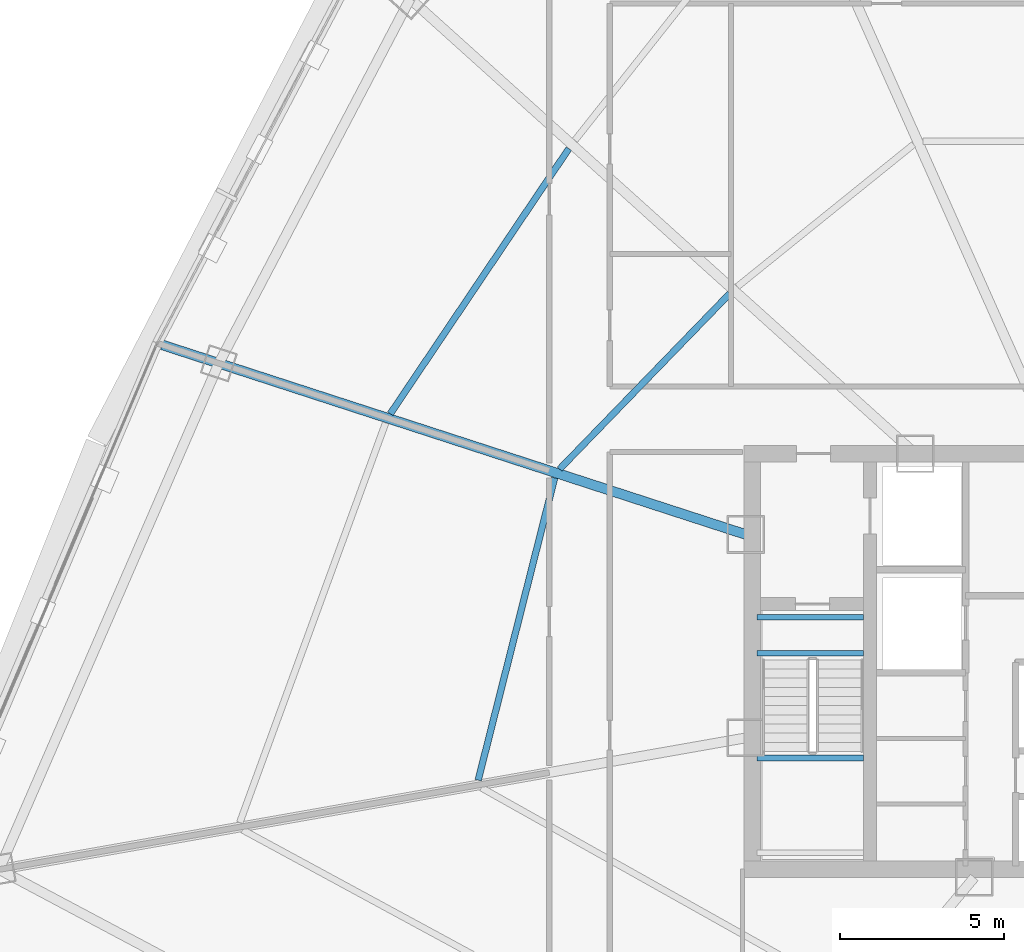
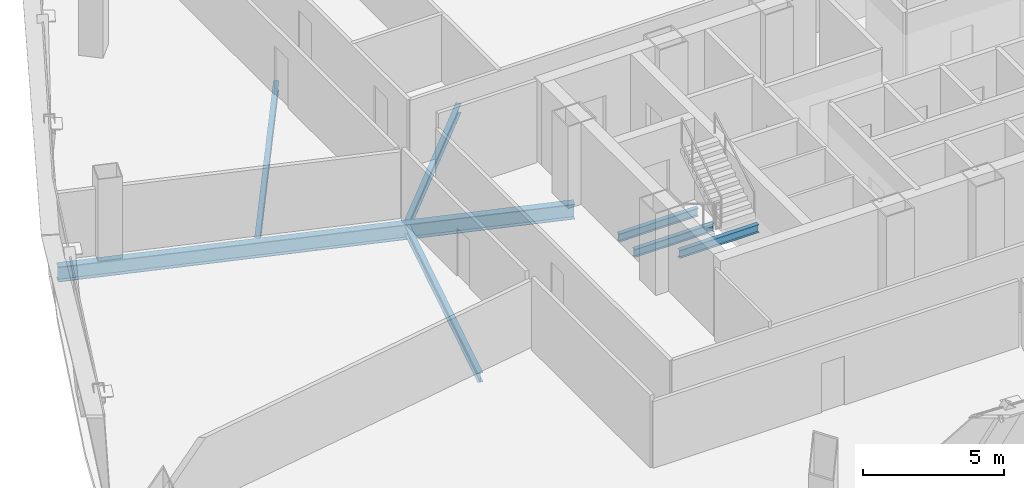
# One storey, part 9 of 37: 7 beams.
"""IFC4 building model written with IfcOpenShell, lengths in metres."""

from ifc_helpers import new_model, si_unit, direction, frame, origin, origin_2d, place, context, subcontext, project, spatial, i_section, extrude, source, transform, mapped, material, material_profile, profile_set, type_object, element, save


model = new_model("IFC4")

# Units and contexts
model_context = context("Model", 3, precision=1e-05, world=origin(), true_north=direction((0.0, 1.0)))
body_context = subcontext(model_context, "Body", "Model", "MODEL_VIEW")
ifc_project = project(units=[si_unit("LENGTHUNIT", "METRE"), si_unit("AREAUNIT", "SQUARE_METRE"), si_unit("VOLUMEUNIT", "CUBIC_METRE"), si_unit("PLANEANGLEUNIT", "RADIAN"), si_unit("MASSUNIT", "GRAM", prefix="KILO"), si_unit("THERMODYNAMICTEMPERATUREUNIT", "KELVIN"), si_unit("POWERUNIT", "WATT")], contexts=[model_context])

# Site, building, storey
site_placement = place(None, origin())
site = spatial("IfcSite", under=ifc_project, at=site_placement, CompositionType="ELEMENT")
building_placement = place(site_placement, origin())
building = spatial("IfcBuilding", under=site, at=building_placement, Name="Yunzhuo Pagoda Commons", CompositionType="ELEMENT")
storey_placement = place(building_placement, frame((0.0, 0.0, 199.9599609375)))
storey = spatial("IfcBuildingStorey", under=building, at=storey_placement, Name="L50", CompositionType="ELEMENT", Elevation=199.9599609375)

# Beams
ifc_material = material(Name="Structural steel Q355B", Category="steel")
ifc_material_profile_1 = material_profile(ifc_material, i_section(OverallWidth=0.175048828125, OverallDepth=0.35009765625, WebThickness=0.007080078125, FlangeThickness=0.010986328125, at=origin_2d()), Name="Structural steel Q355B")
ifc_profile_set_1 = profile_set([ifc_material_profile_1], Name="Structural steel Q355B")
beam_type_1 = type_object("IfcBeamType", Name="B-JS2 Joist HN 350x175x7x11", PredefinedType="JOIST", material=ifc_profile_set_1)
shared_shape_1 = source(origin(), body_context, "Body", "SweptSolid", [
    extrude(i_section(OverallWidth=0.175048828125, OverallDepth=0.35009765625, WebThickness=0.007080078125, FlangeThickness=0.010986328125, at=origin_2d()), origin(), (0.0, 0.0, 1.0), 3.25),
])
for number, where, z_axis, x_axis, name in (
    (1, (35.949951171875, 30.89990234375, 1.525146484375), (1.0, 0.0, 0.0), (0.0, 1.0, 0.0), "L50 ST1 landing support beam 56B"),
    (2, (35.949951171875, 34.10009765625, -0.375), (1.0, 0.0, 0.0), (0.0, 1.0, 0.0), "L50 ST1 landing support beam 154A"),
    (3, (35.949951171875, 35.199951171875, -0.375), (1.0, 0.0, 0.0), (0.0, 1.0, 0.0), "L50 ST1 landing support beam 154B"),
):
    element("IfcBeam", number, at=place(storey_placement, frame(where, z_axis=z_axis, x_axis=x_axis)), inside=storey, type_object=beam_type_1, Name=name, PredefinedType="JOIST", context=body_context, shape_type="MappedRepresentation", body=[
        mapped(shared_shape_1, transform((0.0, 0.0, 0.0), scale=1.0)),
    ])
ifc_material_profile_2 = material_profile(ifc_material, i_section(OverallWidth=0.199951171875, OverallDepth=0.39990234375, WebThickness=0.008056640625, FlangeThickness=0.012939453125, at=origin_2d()), Name="Structural steel Q355B")
ifc_profile_set_2 = profile_set([ifc_material_profile_2], Name="Structural steel Q355B")
beam_type_2 = type_object("IfcBeamType", Name="B-JS1 Joist HN 400x200x8x13", PredefinedType="JOIST", material=ifc_profile_set_2)
shared_shape_2 = source(origin(), body_context, "Body", "SweptSolid", [
    extrude(i_section(OverallWidth=0.199951171875, OverallDepth=0.39990234375, WebThickness=0.008056640625, FlangeThickness=0.012939453125, at=origin_2d()), origin(), (0.0, 0.0, 1.0), 9.529052734375),
])
beam_1_placement = place(storey_placement, frame((29.766845703125, 39.457763671875, -0.4599609375), z_axis=(-0.245367921097, -0.969430030119, 0.0), x_axis=(0.969430030119, -0.245367921097, 0.0)))
element("IfcBeam", 4, at=beam_1_placement, inside=storey, type_object=beam_type_2, Name="L50 composite ring joist 1.11", PredefinedType="JOIST", context=body_context, shape_type="MappedRepresentation", body=[
    mapped(shared_shape_2, transform((0.0, 0.0, 0.0), scale=1.0)),
])
shared_shape_3 = source(origin(), body_context, "Body", "SweptSolid", [
    extrude(i_section(OverallWidth=0.199951171875, OverallDepth=0.39990234375, WebThickness=0.008056640625, FlangeThickness=0.012939453125, at=origin_2d()), origin(), (0.0, 0.0, 1.0), 7.46826171875),
])
beam_2_placement = place(storey_placement, frame((35.114990234375, 45.087890625, -0.4599609375), z_axis=(-0.696070782679, -0.717973164889, 0.0), x_axis=(0.717973164889, -0.696070782679, 0.0)))
element("IfcBeam", 5, at=beam_2_placement, inside=storey, type_object=beam_type_2, Name="L50 composite ring joist 1.10", PredefinedType="JOIST", context=body_context, shape_type="MappedRepresentation", body=[
    mapped(shared_shape_3, transform((0.0, 0.0, 0.0), scale=1.0)),
])
shared_shape_4 = source(origin(), body_context, "Body", "SweptSolid", [
    extrude(i_section(OverallWidth=0.199951171875, OverallDepth=0.39990234375, WebThickness=0.008056640625, FlangeThickness=0.012939453125, at=origin_2d()), origin(), (0.0, 0.0, 1.0), 9.764892578125),
])
beam_3_placement = place(storey_placement, frame((30.198486328125, 49.5166015625, -0.4599609375), z_axis=(-0.558548425455, -0.829471914185, 0.0), x_axis=(0.829471914185, -0.558548425455, 0.0)))
element("IfcBeam", 6, at=beam_3_placement, inside=storey, type_object=beam_type_2, Name="L50 composite ring joist 2.10", PredefinedType="JOIST", context=body_context, shape_type="MappedRepresentation", body=[
    mapped(shared_shape_4, transform((0.0, 0.0, 0.0), scale=1.0)),
])
ifc_material_profile_3 = material_profile(ifc_material, i_section(OverallWidth=0.300048828125, OverallDepth=0.64990234375, WebThickness=0.012939453125, FlangeThickness=0.02197265625, at=origin_2d()), Name="Structural steel Q355B")
ifc_profile_set_3 = profile_set([ifc_material_profile_3], Name="Structural steel Q355B")
beam_type_3 = type_object("IfcBeamType", Name="B-RG2 Beam HN 650x300x13x22", PredefinedType="BEAM", material=ifc_profile_set_3)
shared_shape_5 = source(origin(), body_context, "Body", "SweptSolid", [
    extrude(i_section(OverallWidth=0.300048828125, OverallDepth=0.64990234375, WebThickness=0.012939453125, FlangeThickness=0.02197265625, at=origin_2d()), origin(), (0.0, 0.0, 1.0), 18.746337890625),
])
beam_4_placement = place(storey_placement, frame((17.771240234375, 43.52197265625, -0.5849609375), z_axis=(0.951056174336, -0.309018046814, 0.0), x_axis=(0.309018046814, 0.951056174336, 0.0)))
element("IfcBeam", 7, at=beam_4_placement, inside=storey, type_object=beam_type_3, Name="L50 radial floor girder F3C3", PredefinedType="BEAM", context=body_context, shape_type="MappedRepresentation", body=[
    mapped(shared_shape_5, transform((0.0, 0.0, 0.0), scale=1.0)),
])

save(model, "model.ifc")
